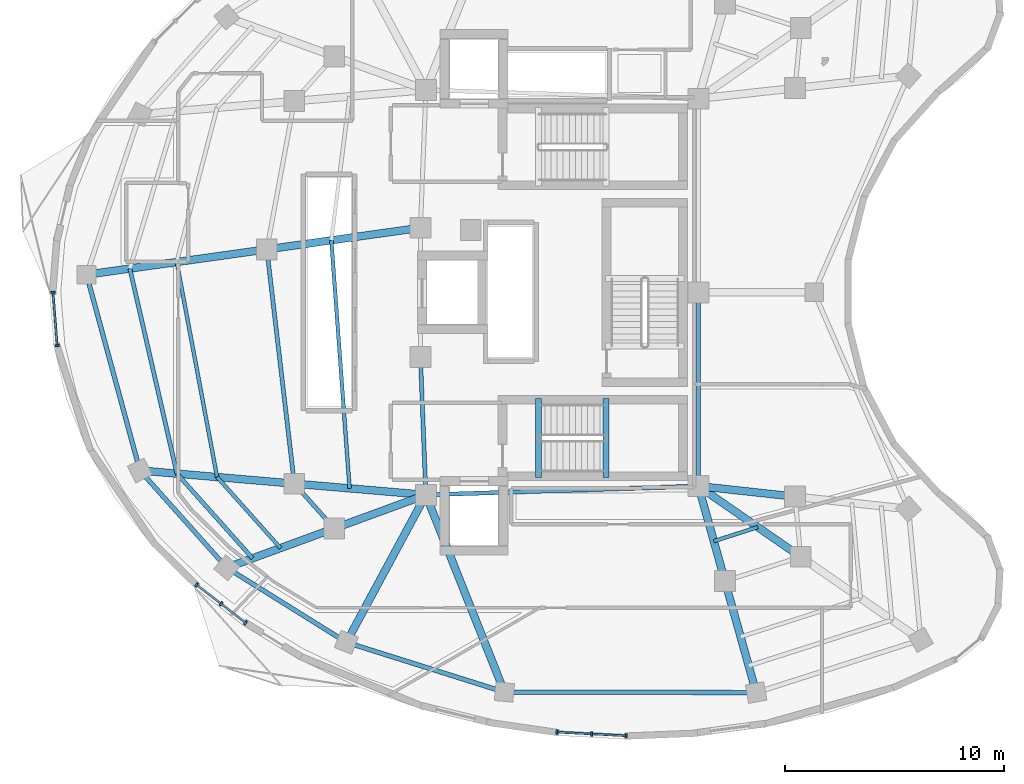
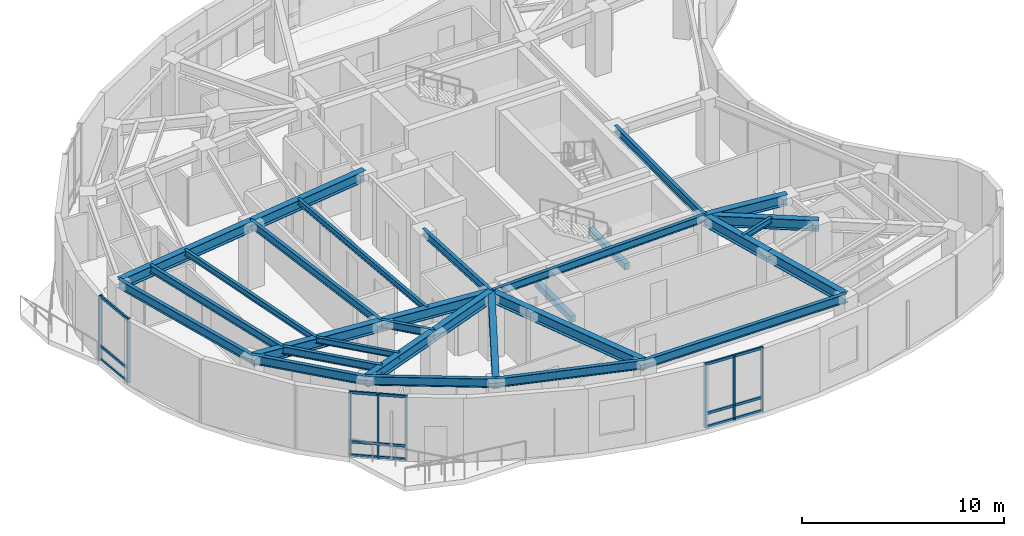
# One storey, part 2 of 13: 30 beams, 23 members, 3 elements without a shape of their own.
"""IFC4 building model written with IfcOpenShell, lengths in metres."""

from ifc_helpers import new_model, si_unit, direction, frame, origin, origin_2d, place, context, subcontext, project, spatial, rectangle, i_section, extrude, material, layer, layer_set, material_profile, profile_set, type_object, element, aggregate, save


model = new_model("IFC4")

# Units and contexts
model_context = context("Model", 3, precision=1e-05, world=origin(), true_north=direction((0.0, 1.0)))
body_context = subcontext(model_context, "Body", "Model", "MODEL_VIEW")
ifc_project = project(units=[si_unit("LENGTHUNIT", "METRE"), si_unit("AREAUNIT", "SQUARE_METRE"), si_unit("VOLUMEUNIT", "CUBIC_METRE"), si_unit("PLANEANGLEUNIT", "RADIAN"), si_unit("MASSUNIT", "GRAM", prefix="KILO")], contexts=[model_context])

# Site, building, storey
site_placement = place(None, origin())
site = spatial("IfcSite", under=ifc_project, at=site_placement, CompositionType="ELEMENT")
building_placement = place(site_placement, origin())
building = spatial("IfcBuilding", under=site, at=building_placement, Name="Korentha Bioscience Tower", CompositionType="ELEMENT")
storey_placement = place(building_placement, frame((0.0, 0.0, 273.0)))
storey = spatial("IfcBuildingStorey", under=building, at=storey_placement, Name="L63", CompositionType="ELEMENT", Elevation=273.0)

# Beams
ifc_material_1 = material(Name="Concrete C50", Category="concrete")
ifc_material_profile_1 = material_profile(ifc_material_1, rectangle(XDim=0.280029296875, YDim=0.3798828125, at=origin_2d()), Name="Concrete C50")
ifc_profile_set_1 = profile_set([ifc_material_profile_1], Name="Concrete C50 (ST-HB380)")
beam_type_1 = type_object("IfcBeamType", Name="Concrete Stair Header Beam RC 280x380", PredefinedType="BEAM", material=ifc_profile_set_1)
for number, where, z_axis, x_axis, name in (
    (1, (30.25, 18.550048828125, -0.18994140625), (0.0, 1.0, 0.0), (-1.0, 0.0, 0.0), "L63 ST-2 Concrete Stair Header Beam"),
    (2, (33.330078125, 18.550048828125, 1.909912109375), (0.0, 1.0, 0.0), (-1.0, 0.0, 0.0), "L63 ST-2 Half-Landing Header Beam 1"),
):
    element("IfcBeam", number, at=place(storey_placement, frame(where, z_axis=z_axis, x_axis=x_axis)), inside=storey, type_object=beam_type_1, Name=name, PredefinedType="BEAM", context=body_context, shape_type="SweptSolid", body=[
        extrude(rectangle(XDim=0.280029296875, YDim=0.3798828125, at=origin_2d()), origin(), (0.0, 0.0, 1.0), 3.599853515625),
    ])
ifc_material_2 = material(Name="Steel S355", Category="steel")
ifc_material_profile_2 = material_profile(ifc_material_2, i_section(OverallWidth=0.18994140625, OverallDepth=0.45703125, WebThickness=0.009033203125, FlangeThickness=0.014404296875, at=origin_2d()), Name="Steel S355")
ifc_profile_set_2 = profile_set([ifc_material_profile_2], Name="Steel S355 (MB-460)")
beam_type_2 = type_object("IfcBeamType", Name="Mid-Ring Tie Girder W460x74", PredefinedType="BEAM", material=ifc_profile_set_2)
beam_1_placement = place(storey_placement, frame((17.833740234375, 28.9658203125, 3.651611328125), z_axis=(0.116556015935, -0.993184119461, 0.0), x_axis=(0.993184119461, 0.116556015935, 0.0)))
element("IfcBeam", 3, at=beam_1_placement, inside=storey, type_object=beam_type_2, Name="L63 Mid-Ring Tie Girder 07", PredefinedType="BEAM", context=body_context, shape_type="SweptSolid", body=[
    extrude(i_section(OverallWidth=0.18994140625, OverallDepth=0.45703125, WebThickness=0.009033203125, FlangeThickness=0.014404296875, at=origin_2d()), origin(), (0.0, 0.0, 1.0), 10.77685546875),
])
beam_2_placement = place(storey_placement, frame((19.08984375, 18.262451171875, 3.651611328125), z_axis=(0.666159168073, -0.745809602239, 0.0), x_axis=(0.745809602239, 0.666159168073, 0.0)))
element("IfcBeam", 4, at=beam_2_placement, inside=storey, type_object=beam_type_2, Name="L63 Mid-Ring Tie Girder 08", PredefinedType="BEAM", context=body_context, shape_type="SweptSolid", body=[
    extrude(i_section(OverallWidth=0.18994140625, OverallDepth=0.45703125, WebThickness=0.009033203125, FlangeThickness=0.014404296875, at=origin_2d()), origin(), (0.0, 0.0, 1.0), 2.740234375),
])
beam_3_placement = place(storey_placement, frame((24.85009765625, 24.050048828125, 3.651611328125), z_axis=(0.039651025576, -0.999213588864, 0.0), x_axis=(0.999213588864, 0.039651025576, 0.0)))
element("IfcBeam", 5, at=beam_3_placement, inside=storey, type_object=beam_type_2, Name="L63 Core Ring Tie Girder 04", PredefinedType="BEAM", context=body_context, shape_type="SweptSolid", body=[
    extrude(i_section(OverallWidth=0.18994140625, OverallDepth=0.45703125, WebThickness=0.009033203125, FlangeThickness=0.014404296875, at=origin_2d()), origin(), (0.0, 0.0, 1.0), 6.304931640625),
])
beam_4_placement = place(storey_placement, frame((25.10009765625, 17.75, 3.651611328125), z_axis=(0.999484526071, 0.032104238723, 0.0), x_axis=(-0.032104238723, 0.999484526071, 0.0)))
element("IfcBeam", 6, at=beam_4_placement, inside=storey, type_object=beam_type_2, Name="L63 Core Ring Tie Girder 05", PredefinedType="BEAM", context=body_context, shape_type="SweptSolid", body=[
    extrude(i_section(OverallWidth=0.18994140625, OverallDepth=0.45703125, WebThickness=0.009033203125, FlangeThickness=0.014404296875, at=origin_2d()), origin(), (0.0, 0.0, 1.0), 12.456298828125),
])
beam_5_placement = place(storey_placement, frame((37.550048828125, 18.14990234375, 3.651611328125), z_axis=(0.0, 1.0, 0.0), x_axis=(-1.0, 0.0, 0.0)))
element("IfcBeam", 7, at=beam_5_placement, inside=storey, type_object=beam_type_2, Name="L63 Core Ring Tie Girder 06", PredefinedType="BEAM", context=body_context, shape_type="SweptSolid", body=[
    extrude(i_section(OverallWidth=0.18994140625, OverallDepth=0.45703125, WebThickness=0.009033203125, FlangeThickness=0.014404296875, at=origin_2d()), origin(), (0.0, 0.0, 1.0), 8.85009765625),
])

# Curtain wall, members
ifc_material_3 = material(Name="Thermally Broken Aluminium Frame", Category="aluminium")
ifc_layer = layer(ifc_material_3, 0.219970703125, Name="Thermally Broken Aluminium Frame")
ifc_layer_set = layer_set([ifc_layer], Name="Thermally Broken Aluminium Frame (CW-T1)")
curtain_wall_type = type_object("IfcCurtainWallType", Name="Standard Bioscience Lab Unitised Curtain Wall CW-T1", PredefinedType="USERDEFINED", material=ifc_layer_set)
curtain_wall_1_placement = place(storey_placement, origin())
curtain_wall_1 = element("IfcCurtainWall", 8, at=curtain_wall_1_placement, inside=storey, type_object=curtain_wall_type, Name="L63 Curtain Wall 19", ObjectType="UNITISED", PredefinedType="USERDEFINED")
ifc_material_4 = material(Name="Anodised Aluminium 6063-T6", Category="aluminium")
ifc_material_profile_3 = material_profile(ifc_material_4, rectangle(XDim=0.090087890625, YDim=0.199951171875, at=origin_2d()), Name="Anodised Aluminium 6063-T6")
ifc_profile_set_3 = profile_set([ifc_material_profile_3], Name="Anodised Aluminium 6063-T6 (CW-MUL)")
member_type_1 = type_object("IfcMemberType", Name="Mullion RECT 90x200", PredefinedType="MULLION", material=ifc_profile_set_3)
member_1_placement = place(storey_placement, frame((8.06884765625, 27.007568359375, 0.0), z_axis=(0.0, 0.0, 1.0), x_axis=(0.078035250492, -0.996950600421, 0.0)))
member_1 = element("IfcMember", 9, at=member_1_placement, type_object=member_type_1, Name="CW-L63-19 Mullion 1", PredefinedType="MULLION", context=body_context, shape_type="SweptSolid", body=[
    extrude(rectangle(XDim=0.090087890625, YDim=0.199951171875, at=origin_2d()), origin(), (0.0, 0.0, 1.0), 3.8798828125),
])
member_2_placement = place(storey_placement, frame((8.259765625, 24.569091796875, 0.0), z_axis=(0.0, 0.0, 1.0), x_axis=(0.078035250492, -0.996950600421, 0.0)))
member_2 = element("IfcMember", 10, at=member_2_placement, type_object=member_type_1, Name="CW-L63-19 Mullion 2", PredefinedType="MULLION", context=body_context, shape_type="SweptSolid", body=[
    extrude(rectangle(XDim=0.090087890625, YDim=0.199951171875, at=origin_2d()), origin(), (0.0, 0.0, 1.0), 3.8798828125),
])

curtain_wall_2_placement = place(storey_placement, origin())
curtain_wall_2 = element("IfcCurtainWall", 11, at=curtain_wall_2_placement, inside=storey, type_object=curtain_wall_type, Name="L63 Curtain Wall 25", ObjectType="UNITISED", PredefinedType="USERDEFINED")
member_3_placement = place(storey_placement, frame((14.6259765625, 13.64111328125, 0.0), z_axis=(0.0, 0.0, 1.0), x_axis=(0.790487520139, -0.612478146961, 0.0)))
member_3 = element("IfcMember", 12, at=member_3_placement, type_object=member_type_1, Name="CW-L63-25 Mullion 1", PredefinedType="MULLION", context=body_context, shape_type="SweptSolid", body=[
    extrude(rectangle(XDim=0.090087890625, YDim=0.199951171875, at=origin_2d()), origin(), (0.0, 0.0, 1.0), 3.8798828125),
])
member_4_placement = place(storey_placement, frame((15.74560546875, 12.773681640625, 0.0), z_axis=(0.0, 0.0, 1.0), x_axis=(0.790487520139, -0.612478146961, 0.0)))
member_4 = element("IfcMember", 13, at=member_4_placement, type_object=member_type_1, Name="CW-L63-25 Mullion 2", PredefinedType="MULLION", context=body_context, shape_type="SweptSolid", body=[
    extrude(rectangle(XDim=0.090087890625, YDim=0.199951171875, at=origin_2d()), origin(), (0.0, 0.0, 1.0), 3.8798828125),
])
member_5_placement = place(storey_placement, frame((16.865234375, 11.90625, 0.0), z_axis=(0.0, 0.0, 1.0), x_axis=(0.790487520139, -0.612478146961, 0.0)))
member_5 = element("IfcMember", 14, at=member_5_placement, type_object=member_type_1, Name="CW-L63-25 Mullion 3", PredefinedType="MULLION", context=body_context, shape_type="SweptSolid", body=[
    extrude(rectangle(XDim=0.090087890625, YDim=0.199951171875, at=origin_2d()), origin(), (0.0, 0.0, 1.0), 3.8798828125),
])

curtain_wall_3_placement = place(storey_placement, origin())
curtain_wall_3 = element("IfcCurtainWall", 15, at=curtain_wall_3_placement, inside=storey, type_object=curtain_wall_type, Name="L63 Curtain Wall 31", ObjectType="UNITISED", PredefinedType="USERDEFINED")
member_6_placement = place(storey_placement, frame((31.086181640625, 6.91259765625, 0.0), z_axis=(0.0, 0.0, 1.0), x_axis=(0.998636113937, -0.052210266622, 0.0)))
member_6 = element("IfcMember", 16, at=member_6_placement, type_object=member_type_1, Name="CW-L63-31 Mullion 1", PredefinedType="MULLION", context=body_context, shape_type="SweptSolid", body=[
    extrude(rectangle(XDim=0.090087890625, YDim=0.199951171875, at=origin_2d()), origin(), (0.0, 0.0, 1.0), 3.8798828125),
])
member_7_placement = place(storey_placement, frame((32.6728515625, 6.82958984375, 0.0), z_axis=(0.0, 0.0, 1.0), x_axis=(0.998636113937, -0.052210266622, 0.0)))
member_7 = element("IfcMember", 17, at=member_7_placement, type_object=member_type_1, Name="CW-L63-31 Mullion 2", PredefinedType="MULLION", context=body_context, shape_type="SweptSolid", body=[
    extrude(rectangle(XDim=0.090087890625, YDim=0.199951171875, at=origin_2d()), origin(), (0.0, 0.0, 1.0), 3.8798828125),
])
member_8_placement = place(storey_placement, frame((34.259521484375, 6.74658203125, 0.0), z_axis=(0.0, 0.0, 1.0), x_axis=(0.998636113937, -0.052210266622, 0.0)))
member_8 = element("IfcMember", 18, at=member_8_placement, type_object=member_type_1, Name="CW-L63-31 Mullion 3", PredefinedType="MULLION", context=body_context, shape_type="SweptSolid", body=[
    extrude(rectangle(XDim=0.090087890625, YDim=0.199951171875, at=origin_2d()), origin(), (0.0, 0.0, 1.0), 3.8798828125),
])

# Beams
ifc_material_profile_4 = material_profile(ifc_material_2, i_section(OverallWidth=0.208984375, OverallDepth=0.532958984375, WebThickness=0.01025390625, FlangeThickness=0.015625, at=origin_2d()), Name="Steel S355")
ifc_profile_set_4 = profile_set([ifc_material_profile_4], Name="Steel S355 (SB-530)")
beam_type_3 = type_object("IfcBeamType", Name="Perimeter Ring Spandrel Girder W530x92", PredefinedType="SPANDREL", material=ifc_profile_set_4)
beam_6_placement = place(storey_placement, frame((9.597412109375, 27.810302734375, 3.613525390625), z_axis=(0.26282776206, -0.964842768274, 0.0), x_axis=(0.964842768274, 0.26282776206, 0.0)))
element("IfcBeam", 19, at=beam_6_placement, inside=storey, type_object=beam_type_3, Name="L63 Perimeter Spandrel Girder 07", PredefinedType="SPANDREL", context=body_context, shape_type="SweptSolid", body=[
    extrude(i_section(OverallWidth=0.208984375, OverallDepth=0.532958984375, WebThickness=0.01025390625, FlangeThickness=0.015625, at=origin_2d()), origin(), (0.0, 0.0, 1.0), 9.272216796875),
])
beam_7_placement = place(storey_placement, frame((12.034423828125, 18.864013671875, 3.613525390625), z_axis=(0.666168059737, -0.745801660086, 0.0), x_axis=(0.745801660086, 0.666168059737, 0.0)))
element("IfcBeam", 20, at=beam_7_placement, inside=storey, type_object=beam_type_3, Name="L63 Perimeter Spandrel Girder 08", PredefinedType="SPANDREL", context=body_context, shape_type="SweptSolid", body=[
    extrude(i_section(OverallWidth=0.208984375, OverallDepth=0.532958984375, WebThickness=0.01025390625, FlangeThickness=0.015625, at=origin_2d()), origin(), (0.0, 0.0, 1.0), 5.956787109375),
])
beam_8_placement = place(storey_placement, frame((16.002685546875, 14.42138671875, 3.613525390625), z_axis=(0.848585501162, -0.529058264482, 0.0), x_axis=(0.529058264482, 0.848585501162, 0.0)))
element("IfcBeam", 21, at=beam_8_placement, inside=storey, type_object=beam_type_3, Name="L63 Perimeter Spandrel Girder 09", PredefinedType="SPANDREL", context=body_context, shape_type="SweptSolid", body=[
    extrude(i_section(OverallWidth=0.208984375, OverallDepth=0.532958984375, WebThickness=0.01025390625, FlangeThickness=0.015625, at=origin_2d()), origin(), (0.0, 0.0, 1.0), 6.441162109375),
])
beam_9_placement = place(storey_placement, frame((21.468505859375, 11.013671875, 3.613525390625), z_axis=(0.953788154386, -0.300479877118, 0.0), x_axis=(0.300479877118, 0.953788154386, 0.0)))
element("IfcBeam", 22, at=beam_9_placement, inside=storey, type_object=beam_type_3, Name="L63 Perimeter Spandrel Girder 10", PredefinedType="SPANDREL", context=body_context, shape_type="SweptSolid", body=[
    extrude(i_section(OverallWidth=0.208984375, OverallDepth=0.532958984375, WebThickness=0.01025390625, FlangeThickness=0.015625, at=origin_2d()), origin(), (0.0, 0.0, 1.0), 7.5693359375),
])
beam_10_placement = place(storey_placement, frame((28.68798828125, 8.7392578125, 3.613525390625), z_axis=(0.999998255351, -0.001867965325, 0.0), x_axis=(0.001867965325, 0.999998255351, 0.0)))
element("IfcBeam", 23, at=beam_10_placement, inside=storey, type_object=beam_type_3, Name="L63 Perimeter Spandrel Girder 11", PredefinedType="SPANDREL", context=body_context, shape_type="SweptSolid", body=[
    extrude(i_section(OverallWidth=0.208984375, OverallDepth=0.532958984375, WebThickness=0.01025390625, FlangeThickness=0.015625, at=origin_2d()), origin(), (0.0, 0.0, 1.0), 11.50146484375),
])
ifc_material_profile_5 = material_profile(ifc_material_2, i_section(OverallWidth=0.18994140625, OverallDepth=0.45703125, WebThickness=0.009033203125, FlangeThickness=0.014404296875, at=origin_2d()), Name="Steel S355")
ifc_profile_set_5 = profile_set([ifc_material_profile_5], Name="Steel S355 (RB-460)")
beam_type_4 = type_object("IfcBeamType", Name="Radial Laboratory Beam W460x74", PredefinedType="BEAM", material=ifc_profile_set_5)
beam_11_placement = place(storey_placement, frame((11.57421875, 28.087646484375, 3.651611328125), z_axis=(0.224037694456, -0.974580479726, 0.0), x_axis=(0.974580479726, 0.224037694456, 0.0)))
element("IfcBeam", 24, at=beam_11_placement, inside=storey, type_object=beam_type_4, Name="L63 Secondary Floor Beam JSTO-07", PredefinedType="BEAM", context=body_context, shape_type="SweptSolid", body=[
    extrude(i_section(OverallWidth=0.18994140625, OverallDepth=0.45703125, WebThickness=0.009033203125, FlangeThickness=0.014404296875, at=origin_2d()), origin(), (0.0, 0.0, 1.0), 9.612548828125),
])
beam_12_placement = place(storey_placement, frame((13.727783203125, 18.719482421875, 3.651611328125), z_axis=(0.666197283, -0.745775556132, 0.0), x_axis=(0.745775556132, 0.666197283, 0.0)))
element("IfcBeam", 25, at=beam_12_placement, inside=storey, type_object=beam_type_4, Name="L63 Secondary Floor Beam JSTO-08", PredefinedType="BEAM", context=body_context, shape_type="SweptSolid", body=[
    extrude(i_section(OverallWidth=0.18994140625, OverallDepth=0.45703125, WebThickness=0.009033203125, FlangeThickness=0.014404296875, at=origin_2d()), origin(), (0.0, 0.0, 1.0), 5.184814453125),
])
ifc_material_profile_6 = material_profile(ifc_material_2, i_section(OverallWidth=0.35009765625, OverallDepth=0.64990234375, WebThickness=0.01611328125, FlangeThickness=0.02490234375, at=origin_2d()), Name="Steel S355")
ifc_profile_set_6 = profile_set([ifc_material_profile_6], Name="Steel S355 (RB-650)")
beam_type_5 = type_object("IfcBeamType", Name="Radial Laboratory Girder CVS 650x208", PredefinedType="BEAM", material=ifc_profile_set_6)
beam_13_placement = place(storey_placement, frame((24.85009765625, 29.949951171875, 3.554931640625), z_axis=(-0.990306038615, -0.138902663338, 0.0), x_axis=(0.138902663338, -0.990306038615, 0.0)))
element("IfcBeam", 26, at=beam_13_placement, inside=storey, type_object=beam_type_5, Name="L63 Inner Radial Girder 07", PredefinedType="BEAM", context=body_context, shape_type="SweptSolid", body=[
    extrude(i_section(OverallWidth=0.35009765625, OverallDepth=0.64990234375, WebThickness=0.01611328125, FlangeThickness=0.02490234375, at=origin_2d()), origin(), (0.0, 0.0, 1.0), 7.0849609375),
])
beam_14_placement = place(storey_placement, frame((17.833740234375, 28.9658203125, 3.554931640625), z_axis=(-0.990301560164, -0.138934588696, 0.0), x_axis=(0.138934588696, -0.990301560164, 0.0)))
element("IfcBeam", 27, at=beam_14_placement, inside=storey, type_object=beam_type_5, Name="L63 Outer Radial Girder 07", PredefinedType="BEAM", context=body_context, shape_type="SweptSolid", body=[
    extrude(i_section(OverallWidth=0.35009765625, OverallDepth=0.64990234375, WebThickness=0.01611328125, FlangeThickness=0.02490234375, at=origin_2d()), origin(), (0.0, 0.0, 1.0), 8.31689453125),
])
beam_15_placement = place(storey_placement, frame((25.10009765625, 17.75, 3.554931640625), z_axis=(-0.996384825277, 0.084954575849, 0.0), x_axis=(-0.084954575849, -0.996384825277, 0.0)))
element("IfcBeam", 28, at=beam_15_placement, inside=storey, type_object=beam_type_5, Name="L63 Inner Radial Girder 08", PredefinedType="BEAM", context=body_context, shape_type="SweptSolid", body=[
    extrude(i_section(OverallWidth=0.35009765625, OverallDepth=0.64990234375, WebThickness=0.01611328125, FlangeThickness=0.02490234375, at=origin_2d()), origin(), (0.0, 0.0, 1.0), 6.031982421875),
])
beam_16_placement = place(storey_placement, frame((19.08984375, 18.262451171875, 3.554931640625), z_axis=(-0.996384854796, 0.084954229635, 0.0), x_axis=(-0.084954229635, -0.996384854796, 0.0)))
element("IfcBeam", 29, at=beam_16_placement, inside=storey, type_object=beam_type_5, Name="L63 Outer Radial Girder 08", PredefinedType="BEAM", context=body_context, shape_type="SweptSolid", body=[
    extrude(i_section(OverallWidth=0.35009765625, OverallDepth=0.64990234375, WebThickness=0.01611328125, FlangeThickness=0.02490234375, at=origin_2d()), origin(), (0.0, 0.0, 1.0), 7.0810546875),
])
beam_17_placement = place(storey_placement, frame((25.10009765625, 17.75, 3.554931640625), z_axis=(-0.939106897866, -0.343625136422, 0.0), x_axis=(0.343625136422, -0.939106897866, 0.0)))
element("IfcBeam", 30, at=beam_17_placement, inside=storey, type_object=beam_type_5, Name="L63 Inner Radial Girder 09", PredefinedType="BEAM", context=body_context, shape_type="SweptSolid", body=[
    extrude(i_section(OverallWidth=0.35009765625, OverallDepth=0.64990234375, WebThickness=0.01611328125, FlangeThickness=0.02490234375, at=origin_2d()), origin(), (0.0, 0.0, 1.0), 4.4560546875),
])
beam_18_placement = place(storey_placement, frame((20.915283203125, 16.21875, 3.554931640625), z_axis=(-0.939118444477, -0.343593578583, 0.0), x_axis=(0.343593578583, -0.939118444477, 0.0)))
element("IfcBeam", 31, at=beam_18_placement, inside=storey, type_object=beam_type_5, Name="L63 Outer Radial Girder 09", PredefinedType="BEAM", context=body_context, shape_type="SweptSolid", body=[
    extrude(i_section(OverallWidth=0.35009765625, OverallDepth=0.64990234375, WebThickness=0.01611328125, FlangeThickness=0.02490234375, at=origin_2d()), origin(), (0.0, 0.0, 1.0), 5.23095703125),
])
beam_19_placement = place(storey_placement, frame((25.10009765625, 17.75, 3.554931640625), z_axis=(-0.474539218542, -0.880234360875, 0.0), x_axis=(0.880234360875, -0.474539218542, 0.0)))
element("IfcBeam", 32, at=beam_19_placement, inside=storey, type_object=beam_type_5, Name="L63 Radial Girder 10", PredefinedType="BEAM", context=body_context, shape_type="SweptSolid", body=[
    extrude(i_section(OverallWidth=0.35009765625, OverallDepth=0.64990234375, WebThickness=0.01611328125, FlangeThickness=0.02490234375, at=origin_2d()), origin(), (0.0, 0.0, 1.0), 7.65283203125),
])
beam_20_placement = place(storey_placement, frame((25.10009765625, 17.75, 3.554931640625), z_axis=(0.369931961537, -0.929058848423, 0.0), x_axis=(0.929058848423, 0.369931961537, 0.0)))
element("IfcBeam", 33, at=beam_20_placement, inside=storey, type_object=beam_type_5, Name="L63 Radial Girder 11", PredefinedType="BEAM", context=body_context, shape_type="SweptSolid", body=[
    extrude(i_section(OverallWidth=0.35009765625, OverallDepth=0.64990234375, WebThickness=0.01611328125, FlangeThickness=0.02490234375, at=origin_2d()), origin(), (0.0, 0.0, 1.0), 9.69873046875),
])
beam_21_placement = place(storey_placement, frame((37.550048828125, 18.14990234375, 3.554931640625), z_axis=(0.269471139951, -0.963008465556, 0.0), x_axis=(0.963008465556, 0.269471139951, 0.0)))
element("IfcBeam", 34, at=beam_21_placement, inside=storey, type_object=beam_type_5, Name="L63 Inner Radial Girder 12", PredefinedType="BEAM", context=body_context, shape_type="SweptSolid", body=[
    extrude(i_section(OverallWidth=0.35009765625, OverallDepth=0.64990234375, WebThickness=0.01611328125, FlangeThickness=0.02490234375, at=origin_2d()), origin(), (0.0, 0.0, 1.0), 4.505615234375),
])
beam_22_placement = place(storey_placement, frame((38.76416015625, 13.81103515625, 3.554931640625), z_axis=(0.26948609841, -0.963004279723, 0.0), x_axis=(0.963004279723, 0.26948609841, 0.0)))
element("IfcBeam", 35, at=beam_22_placement, inside=storey, type_object=beam_type_5, Name="L63 Outer Radial Girder 12", PredefinedType="BEAM", context=body_context, shape_type="SweptSolid", body=[
    extrude(i_section(OverallWidth=0.35009765625, OverallDepth=0.64990234375, WebThickness=0.01611328125, FlangeThickness=0.02490234375, at=origin_2d()), origin(), (0.0, 0.0, 1.0), 5.288818359375),
])
beam_23_placement = place(storey_placement, frame((37.550048828125, 18.14990234375, 3.554931640625), z_axis=(0.822500009141, -0.56876509647, 0.0), x_axis=(0.56876509647, 0.822500009141, 0.0)))
element("IfcBeam", 36, at=beam_23_placement, inside=storey, type_object=beam_type_5, Name="L63 Inner Radial Girder 13", PredefinedType="BEAM", context=body_context, shape_type="SweptSolid", body=[
    extrude(i_section(OverallWidth=0.35009765625, OverallDepth=0.64990234375, WebThickness=0.01611328125, FlangeThickness=0.02490234375, at=origin_2d()), origin(), (0.0, 0.0, 1.0), 5.6796875),
])
beam_24_placement = place(storey_placement, frame((37.550048828125, 18.14990234375, 3.554931640625), z_axis=(0.994121454153, -0.108270653423, 0.0), x_axis=(0.108270653423, 0.994121454153, 0.0)))
element("IfcBeam", 37, at=beam_24_placement, inside=storey, type_object=beam_type_5, Name="L63 Inner Radial Girder 14", PredefinedType="BEAM", context=body_context, shape_type="SweptSolid", body=[
    extrude(i_section(OverallWidth=0.35009765625, OverallDepth=0.64990234375, WebThickness=0.01611328125, FlangeThickness=0.02490234375, at=origin_2d()), origin(), (0.0, 0.0, 1.0), 4.43994140625),
])
ifc_material_profile_7 = material_profile(ifc_material_2, i_section(OverallWidth=0.1708984375, OverallDepth=0.35498046875, WebThickness=0.007080078125, FlangeThickness=0.01171875, at=origin_2d()), Name="Steel S355")
ifc_profile_set_7 = profile_set([ifc_material_profile_7], Name="Steel S355 (JB-360)")
beam_type_6 = type_object("IfcBeamType", Name="Secondary Laboratory Joist W360x51", PredefinedType="JOIST", material=ifc_profile_set_7)
beam_25_placement = place(storey_placement, frame((13.715576171875, 28.38818359375, 3.702392578125), z_axis=(0.184699906213, -0.98279496572, 0.0), x_axis=(0.98279496572, 0.184699906213, 0.0)))
element("IfcBeam", 38, at=beam_25_placement, inside=storey, type_object=beam_type_6, Name="L63 Secondary Floor Beam JST-07", PredefinedType="JOIST", context=body_context, shape_type="SweptSolid", body=[
    extrude(i_section(OverallWidth=0.1708984375, OverallDepth=0.35498046875, WebThickness=0.007080078125, FlangeThickness=0.01171875, at=origin_2d()), origin(), (0.0, 0.0, 1.0), 9.9970703125),
])
beam_26_placement = place(storey_placement, frame((20.780517578125, 29.379150390625, 3.702392578125), z_axis=(0.073354070829, -0.997305961224, 0.0), x_axis=(0.997305961224, 0.073354070829, 0.0)))
element("IfcBeam", 39, at=beam_26_placement, inside=storey, type_object=beam_type_6, Name="L63 Inner Bay Joist 07", PredefinedType="JOIST", context=body_context, shape_type="SweptSolid", body=[
    extrude(i_section(OverallWidth=0.1708984375, OverallDepth=0.35498046875, WebThickness=0.007080078125, FlangeThickness=0.01171875, at=origin_2d()), origin(), (0.0, 0.0, 1.0), 11.362548828125),
])
beam_27_placement = place(storey_placement, frame((15.56201171875, 18.563232421875, 3.702392578125), z_axis=(0.666180871809, -0.745790215836, 0.0), x_axis=(0.745790215836, 0.666180871809, 0.0)))
element("IfcBeam", 40, at=beam_27_placement, inside=storey, type_object=beam_type_6, Name="L63 Secondary Floor Beam JST-08", PredefinedType="JOIST", context=body_context, shape_type="SweptSolid", body=[
    extrude(i_section(OverallWidth=0.1708984375, OverallDepth=0.35498046875, WebThickness=0.007080078125, FlangeThickness=0.01171875, at=origin_2d()), origin(), (0.0, 0.0, 1.0), 4.3486328125),
])
beam_28_placement = place(storey_placement, frame((38.254150390625, 15.63330078125, 3.702392578125), z_axis=(0.952238215196, 0.305356155202, 0.0), x_axis=(-0.305356155202, 0.952238215196, 0.0)))
element("IfcBeam", 41, at=beam_28_placement, inside=storey, type_object=beam_type_6, Name="L63 Inner Bay Joist 12", PredefinedType="JOIST", context=body_context, shape_type="SweptSolid", body=[
    extrude(i_section(OverallWidth=0.1708984375, OverallDepth=0.35498046875, WebThickness=0.007080078125, FlangeThickness=0.01171875, at=origin_2d()), origin(), (0.0, 0.0, 1.0), 2.10595703125),
])

# Member
ifc_material_profile_8 = material_profile(ifc_material_4, rectangle(XDim=0.090087890625, YDim=0.159912109375, at=origin_2d()), Name="Anodised Aluminium 6063-T6")
ifc_profile_set_8 = profile_set([ifc_material_profile_8], Name="Anodised Aluminium 6063-T6 (CW-TRN)")
member_type_2 = type_object("IfcMemberType", Name="Transom RECT 90x160", PredefinedType="USERDEFINED", material=ifc_profile_set_8)
member_9_placement = place(storey_placement, frame((8.072509765625, 26.962646484375, 0.044921875), z_axis=(0.078027673701, -0.996951193458, 0.0), x_axis=(0.996951193458, 0.078027673701, 0.0)))
member_9 = element("IfcMember", 42, at=member_9_placement, type_object=member_type_2, Name="CW-L63-19 Bay 1 Transom 1", ObjectType="TRANSOM", PredefinedType="USERDEFINED", context=body_context, shape_type="SweptSolid", body=[
    extrude(rectangle(XDim=0.090087890625, YDim=0.159912109375, at=origin_2d()), origin(), (0.0, 0.0, 1.0), 2.35595703125),
])

member_10_placement = place(storey_placement, frame((8.072509765625, 26.962646484375, 0.85009765625), z_axis=(0.078027673701, -0.996951193458, 0.0), x_axis=(0.996951193458, 0.078027673701, 0.0)))
member_10 = element("IfcMember", 43, at=member_10_placement, type_object=member_type_2, Name="CW-L63-19 Bay 1 Transom 2", ObjectType="TRANSOM", PredefinedType="USERDEFINED", context=body_context, shape_type="SweptSolid", body=[
    extrude(rectangle(XDim=0.090087890625, YDim=0.159912109375, at=origin_2d()), origin(), (0.0, 0.0, 1.0), 2.35595703125),
])

member_11_placement = place(storey_placement, frame((8.072509765625, 26.962646484375, 3.8349609375), z_axis=(0.078027673701, -0.996951193458, 0.0), x_axis=(0.996951193458, 0.078027673701, 0.0)))
member_11 = element("IfcMember", 44, at=member_11_placement, type_object=member_type_2, Name="CW-L63-19 Bay 1 Transom 3", ObjectType="TRANSOM", PredefinedType="USERDEFINED", context=body_context, shape_type="SweptSolid", body=[
    extrude(rectangle(XDim=0.090087890625, YDim=0.159912109375, at=origin_2d()), origin(), (0.0, 0.0, 1.0), 2.35595703125),
])

aggregate(curtain_wall_1, [member_1, member_2, member_9, member_10, member_11])

member_12_placement = place(storey_placement, frame((14.661376953125, 13.61376953125, 0.044921875), z_axis=(0.790470743722, -0.612499798628, 0.0), x_axis=(0.612499798628, 0.790470743722, 0.0)))
member_12 = element("IfcMember", 45, at=member_12_placement, type_object=member_type_2, Name="CW-L63-25 Bay 1 Transom 1", ObjectType="TRANSOM", PredefinedType="USERDEFINED", context=body_context, shape_type="SweptSolid", body=[
    extrude(rectangle(XDim=0.090087890625, YDim=0.159912109375, at=origin_2d()), origin(), (0.0, 0.0, 1.0), 1.326416015625),
])

member_13_placement = place(storey_placement, frame((14.661376953125, 13.61376953125, 0.85009765625), z_axis=(0.790470743722, -0.612499798628, 0.0), x_axis=(0.612499798628, 0.790470743722, 0.0)))
member_13 = element("IfcMember", 46, at=member_13_placement, type_object=member_type_2, Name="CW-L63-25 Bay 1 Transom 2", ObjectType="TRANSOM", PredefinedType="USERDEFINED", context=body_context, shape_type="SweptSolid", body=[
    extrude(rectangle(XDim=0.090087890625, YDim=0.159912109375, at=origin_2d()), origin(), (0.0, 0.0, 1.0), 1.326416015625),
])

member_14_placement = place(storey_placement, frame((14.661376953125, 13.61376953125, 3.8349609375), z_axis=(0.790470743722, -0.612499798628, 0.0), x_axis=(0.612499798628, 0.790470743722, 0.0)))
member_14 = element("IfcMember", 47, at=member_14_placement, type_object=member_type_2, Name="CW-L63-25 Bay 1 Transom 3", ObjectType="TRANSOM", PredefinedType="USERDEFINED", context=body_context, shape_type="SweptSolid", body=[
    extrude(rectangle(XDim=0.090087890625, YDim=0.159912109375, at=origin_2d()), origin(), (0.0, 0.0, 1.0), 1.326416015625),
])

member_15_placement = place(storey_placement, frame((15.781005859375, 12.74609375, 0.044921875), z_axis=(0.790470743722, -0.612499798628, 0.0), x_axis=(0.612499798628, 0.790470743722, 0.0)))
member_15 = element("IfcMember", 48, at=member_15_placement, type_object=member_type_2, Name="CW-L63-25 Bay 2 Transom 1", ObjectType="TRANSOM", PredefinedType="USERDEFINED", context=body_context, shape_type="SweptSolid", body=[
    extrude(rectangle(XDim=0.090087890625, YDim=0.159912109375, at=origin_2d()), origin(), (0.0, 0.0, 1.0), 1.326416015625),
])

member_16_placement = place(storey_placement, frame((15.781005859375, 12.74609375, 0.85009765625), z_axis=(0.790470743722, -0.612499798628, 0.0), x_axis=(0.612499798628, 0.790470743722, 0.0)))
member_16 = element("IfcMember", 49, at=member_16_placement, type_object=member_type_2, Name="CW-L63-25 Bay 2 Transom 2", ObjectType="TRANSOM", PredefinedType="USERDEFINED", context=body_context, shape_type="SweptSolid", body=[
    extrude(rectangle(XDim=0.090087890625, YDim=0.159912109375, at=origin_2d()), origin(), (0.0, 0.0, 1.0), 1.326416015625),
])

member_17_placement = place(storey_placement, frame((15.781005859375, 12.74609375, 3.8349609375), z_axis=(0.790470743722, -0.612499798628, 0.0), x_axis=(0.612499798628, 0.790470743722, 0.0)))
member_17 = element("IfcMember", 50, at=member_17_placement, type_object=member_type_2, Name="CW-L63-25 Bay 2 Transom 3", ObjectType="TRANSOM", PredefinedType="USERDEFINED", context=body_context, shape_type="SweptSolid", body=[
    extrude(rectangle(XDim=0.090087890625, YDim=0.159912109375, at=origin_2d()), origin(), (0.0, 0.0, 1.0), 1.326416015625),
])

aggregate(curtain_wall_2, [member_3, member_4, member_5, member_12, member_13, member_14, member_15, member_16, member_17])

member_18_placement = place(storey_placement, frame((31.131103515625, 6.91015625, 0.044921875), z_axis=(0.998631744919, -0.05229376674, 0.0), x_axis=(0.05229376674, 0.998631744919, 0.0)))
member_18 = element("IfcMember", 51, at=member_18_placement, type_object=member_type_2, Name="CW-L63-31 Bay 1 Transom 1", ObjectType="TRANSOM", PredefinedType="USERDEFINED", context=body_context, shape_type="SweptSolid", body=[
    extrude(rectangle(XDim=0.090087890625, YDim=0.159912109375, at=origin_2d()), origin(), (0.0, 0.0, 1.0), 1.49853515625),
])

member_19_placement = place(storey_placement, frame((31.131103515625, 6.91015625, 0.85009765625), z_axis=(0.998631744919, -0.05229376674, 0.0), x_axis=(0.05229376674, 0.998631744919, 0.0)))
member_19 = element("IfcMember", 52, at=member_19_placement, type_object=member_type_2, Name="CW-L63-31 Bay 1 Transom 2", ObjectType="TRANSOM", PredefinedType="USERDEFINED", context=body_context, shape_type="SweptSolid", body=[
    extrude(rectangle(XDim=0.090087890625, YDim=0.159912109375, at=origin_2d()), origin(), (0.0, 0.0, 1.0), 1.49853515625),
])

member_20_placement = place(storey_placement, frame((31.131103515625, 6.91015625, 3.8349609375), z_axis=(0.998631744919, -0.05229376674, 0.0), x_axis=(0.05229376674, 0.998631744919, 0.0)))
member_20 = element("IfcMember", 53, at=member_20_placement, type_object=member_type_2, Name="CW-L63-31 Bay 1 Transom 3", ObjectType="TRANSOM", PredefinedType="USERDEFINED", context=body_context, shape_type="SweptSolid", body=[
    extrude(rectangle(XDim=0.090087890625, YDim=0.159912109375, at=origin_2d()), origin(), (0.0, 0.0, 1.0), 1.49853515625),
])

member_21_placement = place(storey_placement, frame((32.7177734375, 6.827392578125, 0.044921875), z_axis=(0.998631744919, -0.05229376674, 0.0), x_axis=(0.05229376674, 0.998631744919, 0.0)))
member_21 = element("IfcMember", 54, at=member_21_placement, type_object=member_type_2, Name="CW-L63-31 Bay 2 Transom 1", ObjectType="TRANSOM", PredefinedType="USERDEFINED", context=body_context, shape_type="SweptSolid", body=[
    extrude(rectangle(XDim=0.090087890625, YDim=0.159912109375, at=origin_2d()), origin(), (0.0, 0.0, 1.0), 1.49853515625),
])

member_22_placement = place(storey_placement, frame((32.7177734375, 6.827392578125, 0.85009765625), z_axis=(0.998631744919, -0.05229376674, 0.0), x_axis=(0.05229376674, 0.998631744919, 0.0)))
member_22 = element("IfcMember", 55, at=member_22_placement, type_object=member_type_2, Name="CW-L63-31 Bay 2 Transom 2", ObjectType="TRANSOM", PredefinedType="USERDEFINED", context=body_context, shape_type="SweptSolid", body=[
    extrude(rectangle(XDim=0.090087890625, YDim=0.159912109375, at=origin_2d()), origin(), (0.0, 0.0, 1.0), 1.49853515625),
])

member_23_placement = place(storey_placement, frame((32.7177734375, 6.827392578125, 3.8349609375), z_axis=(0.998631744919, -0.05229376674, 0.0), x_axis=(0.05229376674, 0.998631744919, 0.0)))
member_23 = element("IfcMember", 56, at=member_23_placement, type_object=member_type_2, Name="CW-L63-31 Bay 2 Transom 3", ObjectType="TRANSOM", PredefinedType="USERDEFINED", context=body_context, shape_type="SweptSolid", body=[
    extrude(rectangle(XDim=0.090087890625, YDim=0.159912109375, at=origin_2d()), origin(), (0.0, 0.0, 1.0), 1.49853515625),
])

aggregate(curtain_wall_3, [member_6, member_7, member_8, member_18, member_19, member_20, member_21, member_22, member_23])

save(model, "model.ifc")
